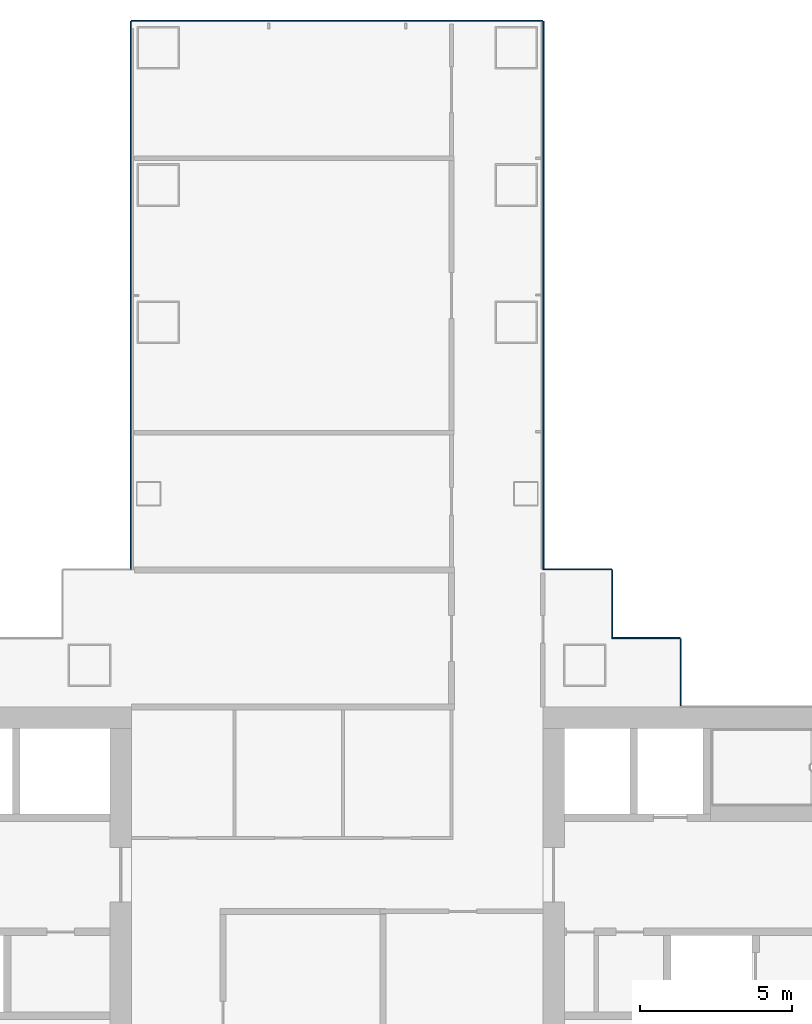
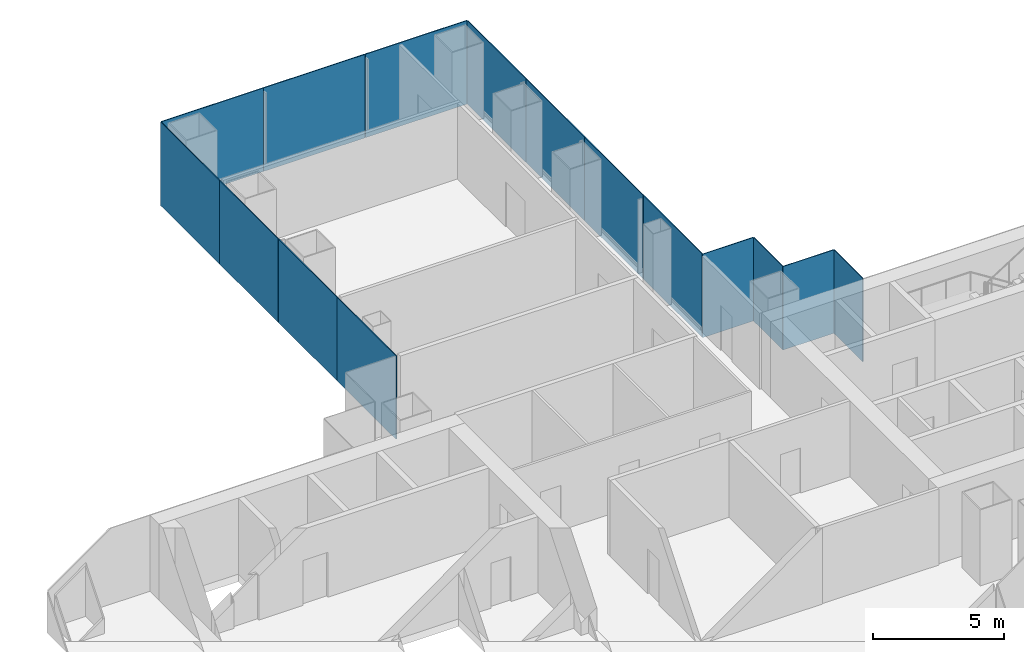
# One storey, part 12 of 21: 15 plates, 4 elements without a shape of their own.
"""IFC4 building model written with IfcOpenShell, lengths in metres."""

from ifc_helpers import new_model, si_unit, direction, frame, origin, origin_2d, place, context, subcontext, project, spatial, rectangle, extrude, material, layer, layer_set, type_object, element, aggregate, save


model = new_model("IFC4")

# Units and contexts
model_context = context("Model", 3, precision=1e-05, world=origin(), true_north=direction((0.0, 1.0)))
body_context = subcontext(model_context, "Body", "Model", "MODEL_VIEW")
ifc_project = project(units=[si_unit("LENGTHUNIT", "METRE"), si_unit("AREAUNIT", "SQUARE_METRE"), si_unit("VOLUMEUNIT", "CUBIC_METRE"), si_unit("PLANEANGLEUNIT", "RADIAN"), si_unit("MASSUNIT", "GRAM", prefix="KILO")], contexts=[model_context])

# Site, building, storey
site_placement = place(None, origin())
site = spatial("IfcSite", under=ifc_project, at=site_placement, CompositionType="ELEMENT")
building_placement = place(site_placement, origin())
building = spatial("IfcBuilding", under=site, at=building_placement, Name="Shamsa Quay Exchange Towers", CompositionType="ELEMENT")
storey_placement = place(building_placement, frame((0.0, 0.0, 42.0)))
storey = spatial("IfcBuildingStorey", under=building, at=storey_placement, Name="L08", CompositionType="ELEMENT", Elevation=42.0)

# Curtain wall, plates
ifc_material_1 = material(Name="Aluminium EN AW-6063 T6, black anodised", Category="aluminium")
ifc_layer_1 = layer(ifc_material_1, 0.280029296875)
ifc_layer_set_1 = layer_set([ifc_layer_1], Name="CW-1 UNITISED VISION GLASS")
curtain_wall_type_1 = type_object("IfcCurtainWallType", Name="CW-1 UNITISED VISION GLASS", PredefinedType="NOTDEFINED", material=ifc_layer_set_1)
curtain_wall_1_placement = place(storey_placement, origin())
curtain_wall_1 = element("IfcCurtainWall", 1, at=curtain_wall_1_placement, inside=storey, type_object=curtain_wall_type_1, Name="CW1 T2-FLK-U+S L08", PredefinedType="NOTDEFINED")
ifc_material_2 = material(Name="Glass, laminated, dark tinted", Category="glass")
ifc_layer_2 = layer(ifc_material_2, 0.0400390625)
ifc_layer_set_2 = layer_set([ifc_layer_2], Name="CW-1 VISION GLASS 40")
plate_type_1 = type_object("IfcPlateType", Name="CW-1 VISION GLASS 40", PredefinedType="CURTAIN_PANEL", material=ifc_layer_set_2)
plate_1_placement = place(storey_placement, frame((40.52001953125, 13.53076171875, -0.349853515625), z_axis=(0.0, 0.0, 1.0), x_axis=(0.0, 1.0, 0.0)))
plate_1 = element("IfcPlate", 2, at=plate_1_placement, type_object=plate_type_1, Name="CW1 glass panel", PredefinedType="CURTAIN_PANEL", context=body_context, shape_type="SweptSolid", body=[
    extrude(rectangle(XDim=4.485595703125, YDim=0.0400390625, at=origin_2d()), origin(), (0.0, 0.0, 1.0), 3.89990234375),
])
plate_2_placement = place(storey_placement, frame((40.52001953125, 18.023681640625, -0.349853515625), z_axis=(0.0, 0.0, 1.0), x_axis=(0.0, 1.0, 0.0)))
plate_2 = element("IfcPlate", 3, at=plate_2_placement, type_object=plate_type_1, Name="CW1 glass panel", PredefinedType="CURTAIN_PANEL", context=body_context, shape_type="SweptSolid", body=[
    extrude(rectangle(XDim=4.48046875, YDim=0.0400390625, at=origin_2d()), origin(), (0.0, 0.0, 1.0), 3.89990234375),
])
plate_3_placement = place(storey_placement, frame((40.52001953125, 22.51416015625, -0.349853515625), z_axis=(0.0, 0.0, 1.0), x_axis=(0.0, 1.0, 0.0)))
plate_3 = element("IfcPlate", 4, at=plate_3_placement, type_object=plate_type_1, Name="CW1 glass panel", PredefinedType="CURTAIN_PANEL", context=body_context, shape_type="SweptSolid", body=[
    extrude(rectangle(XDim=4.48046875, YDim=0.0400390625, at=origin_2d()), origin(), (0.0, 0.0, 1.0), 3.89990234375),
])
plate_4_placement = place(storey_placement, frame((40.52001953125, 27.00732421875, -0.349853515625), z_axis=(0.0, 0.0, 1.0), x_axis=(0.0, 1.0, 0.0)))
plate_4 = element("IfcPlate", 5, at=plate_4_placement, type_object=plate_type_1, Name="CW1 glass panel", PredefinedType="CURTAIN_PANEL", context=body_context, shape_type="SweptSolid", body=[
    extrude(rectangle(XDim=4.485595703125, YDim=0.0400390625, at=origin_2d()), origin(), (0.0, 0.0, 1.0), 3.89990234375),
])
aggregate(curtain_wall_1, [plate_1, plate_2, plate_3, plate_4])

curtain_wall_2_placement = place(storey_placement, origin())
curtain_wall_2 = element("IfcCurtainWall", 6, at=curtain_wall_2_placement, inside=storey, type_object=curtain_wall_type_1, Name="CW1 T2-END-U+ L08", PredefinedType="NOTDEFINED")
plate_5_placement = place(storey_placement, frame((38.25244140625, 29.27001953125, -0.349853515625), z_axis=(0.0, 0.0, 1.0), x_axis=(-1.0, 0.0, 0.0)))
plate_5 = element("IfcPlate", 7, at=plate_5_placement, type_object=plate_type_1, Name="CW1 glass panel", PredefinedType="CURTAIN_PANEL", context=body_context, shape_type="SweptSolid", body=[
    extrude(rectangle(XDim=4.4951171875, YDim=0.0400390625, at=origin_2d()), origin(), (0.0, 0.0, 1.0), 3.89990234375),
])
plate_6_placement = place(storey_placement, frame((33.75, 29.27001953125, -0.349853515625), z_axis=(0.0, 0.0, 1.0), x_axis=(-1.0, 0.0, 0.0)))
plate_6 = element("IfcPlate", 8, at=plate_6_placement, type_object=plate_type_1, Name="CW1 glass panel", PredefinedType="CURTAIN_PANEL", context=body_context, shape_type="SweptSolid", body=[
    extrude(rectangle(XDim=4.489990234375, YDim=0.0400390625, at=origin_2d()), origin(), (0.0, 0.0, 1.0), 3.89990234375),
])
plate_7_placement = place(storey_placement, frame((29.24755859375, 29.27001953125, -0.349853515625), z_axis=(0.0, 0.0, 1.0), x_axis=(-1.0, 0.0, 0.0)))
plate_7 = element("IfcPlate", 9, at=plate_7_placement, type_object=plate_type_1, Name="CW1 glass panel", PredefinedType="CURTAIN_PANEL", context=body_context, shape_type="SweptSolid", body=[
    extrude(rectangle(XDim=4.4951171875, YDim=0.0400390625, at=origin_2d()), origin(), (0.0, 0.0, 1.0), 3.89990234375),
])
aggregate(curtain_wall_2, [plate_5, plate_6, plate_7])

curtain_wall_3_placement = place(storey_placement, origin())
curtain_wall_3 = element("IfcCurtainWall", 10, at=curtain_wall_3_placement, inside=storey, type_object=curtain_wall_type_1, Name="CW1 T2-FLK-U+N L08", PredefinedType="NOTDEFINED")
plate_8_placement = place(storey_placement, frame((26.97998046875, 27.00244140625, -0.349853515625), z_axis=(0.0, 0.0, 1.0), x_axis=(0.0, -1.0, 0.0)))
plate_8 = element("IfcPlate", 11, at=plate_8_placement, type_object=plate_type_1, Name="CW1 glass panel", PredefinedType="CURTAIN_PANEL", context=body_context, shape_type="SweptSolid", body=[
    extrude(rectangle(XDim=4.4951171875, YDim=0.0400390625, at=origin_2d()), origin(), (0.0, 0.0, 1.0), 3.89990234375),
])
plate_9_placement = place(storey_placement, frame((26.97998046875, 22.5, -0.349853515625), z_axis=(0.0, 0.0, 1.0), x_axis=(0.0, -1.0, 0.0)))
plate_9 = element("IfcPlate", 12, at=plate_9_placement, type_object=plate_type_1, Name="CW1 glass panel", PredefinedType="CURTAIN_PANEL", context=body_context, shape_type="SweptSolid", body=[
    extrude(rectangle(XDim=4.489990234375, YDim=0.0400390625, at=origin_2d()), origin(), (0.0, 0.0, 1.0), 3.89990234375),
])
plate_10_placement = place(storey_placement, frame((26.97998046875, 18.0, -0.349853515625), z_axis=(0.0, 0.0, 1.0), x_axis=(0.0, -1.0, 0.0)))
plate_10 = element("IfcPlate", 13, at=plate_10_placement, type_object=plate_type_1, Name="CW1 glass panel", PredefinedType="CURTAIN_PANEL", context=body_context, shape_type="SweptSolid", body=[
    extrude(rectangle(XDim=4.489990234375, YDim=0.0400390625, at=origin_2d()), origin(), (0.0, 0.0, 1.0), 3.89990234375),
])
plate_11_placement = place(storey_placement, frame((26.97998046875, 13.49755859375, -0.349853515625), z_axis=(0.0, 0.0, 1.0), x_axis=(0.0, -1.0, 0.0)))
plate_11 = element("IfcPlate", 14, at=plate_11_placement, type_object=plate_type_1, Name="CW1 glass panel", PredefinedType="CURTAIN_PANEL", context=body_context, shape_type="SweptSolid", body=[
    extrude(rectangle(XDim=4.4951171875, YDim=0.0400390625, at=origin_2d()), origin(), (0.0, 0.0, 1.0), 3.89990234375),
])
aggregate(curtain_wall_3, [plate_8, plate_9, plate_10, plate_11])

ifc_layer_3 = layer(ifc_material_1, 0.256103515625)
ifc_layer_set_3 = layer_set([ifc_layer_3], Name="CW-4 POCKET SERRATED GLAZING")
curtain_wall_type_2 = type_object("IfcCurtainWallType", Name="CW-4 POCKET SERRATED GLAZING", PredefinedType="NOTDEFINED", material=ifc_layer_set_3)
curtain_wall_4_placement = place(storey_placement, origin())
curtain_wall_4 = element("IfcCurtainWall", 15, at=curtain_wall_4_placement, inside=storey, type_object=curtain_wall_type_2, Name="CW4 PKES L08", PredefinedType="NOTDEFINED")
ifc_layer_4 = layer(ifc_material_2, 0.035888671875)
ifc_layer_set_4 = layer_set([ifc_layer_4], Name="CW-4 POCKET GLASS 36")
plate_type_2 = type_object("IfcPlateType", Name="CW-4 POCKET GLASS 36", PredefinedType="CURTAIN_PANEL", material=ifc_layer_set_4)
plate_12_placement = place(storey_placement, frame((45.01806640625, 7.89794921875, -0.349853515625), z_axis=(0.0, 0.0, 1.0), x_axis=(0.0, 1.0, 0.0)))
plate_12 = element("IfcPlate", 16, at=plate_12_placement, type_object=plate_type_2, Name="CW4 glass panel", PredefinedType="CURTAIN_PANEL", context=body_context, shape_type="SweptSolid", body=[
    extrude(rectangle(XDim=2.2041015625, YDim=0.035888671875, at=origin_2d()), origin(), (0.0, 0.0, 1.0), 3.89990234375),
])
plate_13_placement = place(storey_placement, frame((43.875, 9.01806640625, -0.349853515625), z_axis=(0.0, 0.0, 1.0), x_axis=(-1.0, 0.0, 0.0)))
plate_13 = element("IfcPlate", 17, at=plate_13_placement, type_object=plate_type_2, Name="CW4 glass panel", PredefinedType="CURTAIN_PANEL", context=body_context, shape_type="SweptSolid", body=[
    extrude(rectangle(XDim=2.25, YDim=0.035888671875, at=origin_2d()), origin(), (0.0, 0.0, 1.0), 3.89990234375),
])
plate_14_placement = place(storey_placement, frame((42.76806640625, 10.14404296875, -0.349853515625), z_axis=(0.0, 0.0, 1.0), x_axis=(0.0, 1.0, 0.0)))
plate_14 = element("IfcPlate", 18, at=plate_14_placement, type_object=plate_type_2, Name="CW4 glass panel", PredefinedType="CURTAIN_PANEL", context=body_context, shape_type="SweptSolid", body=[
    extrude(rectangle(XDim=2.2119140625, YDim=0.035888671875, at=origin_2d()), origin(), (0.0, 0.0, 1.0), 3.89990234375),
])
plate_15_placement = place(storey_placement, frame((41.625, 11.26806640625, -0.349853515625), z_axis=(0.0, 0.0, 1.0), x_axis=(-1.0, 0.0, 0.0)))
plate_15 = element("IfcPlate", 19, at=plate_15_placement, type_object=plate_type_2, Name="CW4 glass panel", PredefinedType="CURTAIN_PANEL", context=body_context, shape_type="SweptSolid", body=[
    extrude(rectangle(XDim=2.25, YDim=0.035888671875, at=origin_2d()), origin(), (0.0, 0.0, 1.0), 3.89990234375),
])
aggregate(curtain_wall_4, [plate_12, plate_13, plate_14, plate_15])

save(model, "model.ifc")
